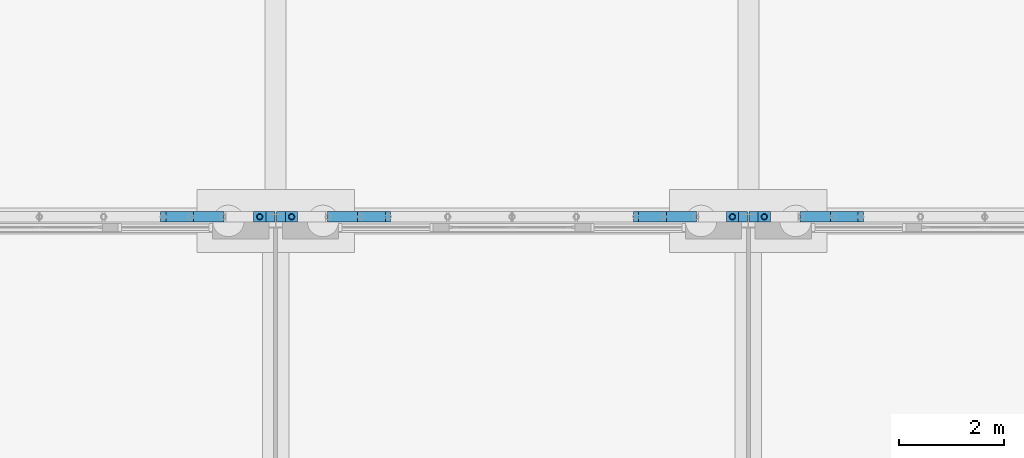
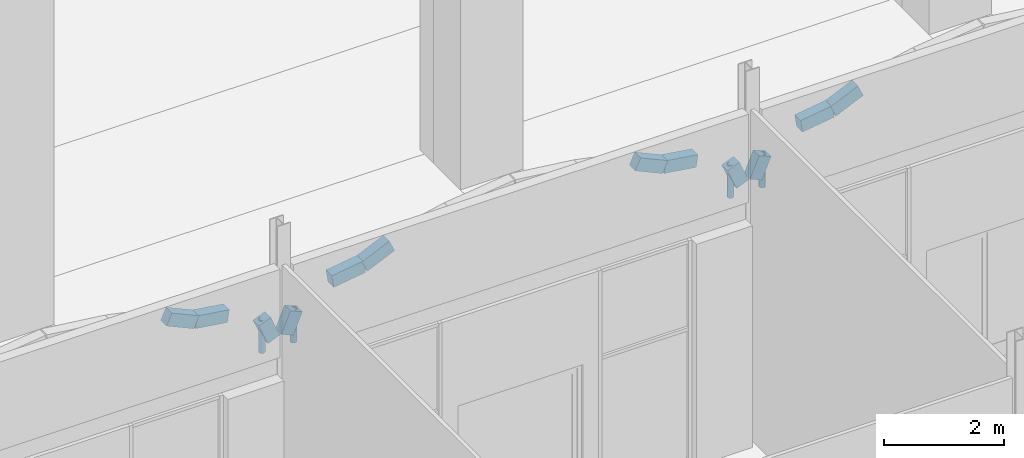
# One storey, part 67 of 250: 12 beams, 4 members.
"""IFC4 building model written with IfcOpenShell, lengths in metres."""

from ifc_helpers import new_model, si_unit, direction, frame, origin, origin_2d, place, context, subcontext, project, spatial, rectangle, hollow_circle, extrude, material, material_profile, profile_set, type_object, element, save


model = new_model("IFC4")

# Units and contexts
model_context = context("Model", 3, precision=1e-05, world=origin(), true_north=direction((0.0, 1.0)))
body_context = subcontext(model_context, "Body", "Model", "MODEL_VIEW")
ifc_project = project(units=[si_unit("LENGTHUNIT", "METRE"), si_unit("AREAUNIT", "SQUARE_METRE"), si_unit("VOLUMEUNIT", "CUBIC_METRE"), si_unit("PLANEANGLEUNIT", "RADIAN"), si_unit("MASSUNIT", "GRAM", prefix="KILO")], contexts=[model_context])

# Site, building, storey
site_placement = place(None, origin())
site = spatial("IfcSite", under=ifc_project, at=site_placement, CompositionType="ELEMENT")
building_placement = place(site_placement, origin())
building = spatial("IfcBuilding", under=site, at=building_placement, Name="Baradari Gate Terminus", CompositionType="ELEMENT")
storey_placement = place(building_placement, origin())
storey = spatial("IfcBuildingStorey", under=building, at=storey_placement, Name="L00", CompositionType="ELEMENT", Elevation=0.0)

# Members
ifc_material_1 = material(Name="Steel S355", Category="steel")
ifc_material_profile_1 = material_profile(ifc_material_1, hollow_circle(Radius=0.05712890625, WallThickness=0.00634765625, at=origin_2d()), Name="CHS 114.3x6.3")
ifc_profile_set_1 = profile_set([ifc_material_profile_1], Name="Steel S355")
member_type = type_object("IfcMemberType", Name="Arcade arch post SP-2 114x6.3", PredefinedType="POST", material=ifc_profile_set_1)
for number, where, z_axis, x_axis, name in (
    (1, (89.697021484375, 108.07861328125, 4.89990234375), (0.0, 0.0, 1.0), (1.0, 0.0, 0.0), "Arcade arch post 9.12"),
    (2, (90.302978515625, 108.07861328125, 4.89990234375), (0.0, 0.0, 1.0), (1.0, 0.0, 0.0), "Arcade arch post 10.2"),
    (3, (98.697021484375, 108.07861328125, 4.89990234375), (0.0, 0.0, 1.0), (1.0, 0.0, 0.0), "Arcade arch post 10.12"),
    (4, (99.302978515625, 108.07861328125, 4.89990234375), (0.0, 0.0, 1.0), (1.0, 0.0, 0.0), "Arcade arch post 11.2"),
):
    element("IfcMember", number, at=place(storey_placement, frame(where, z_axis=z_axis, x_axis=x_axis)), inside=storey, type_object=member_type, Name=name, PredefinedType="POST", context=body_context, shape_type="SweptSolid", body=[
        extrude(hollow_circle(Radius=0.05712890625, WallThickness=0.00634765625, at=origin_2d()), origin(), (0.0, 0.0, 1.0), 0.66796875),
    ])

# Beams
ifc_material_2 = material(Name="Concrete C40/50 precast", Category="concrete")
ifc_material_profile_2 = material_profile(ifc_material_2, rectangle(XDim=0.199951171875, YDim=0.25, at=origin_2d()), Name="AB-1 200X250")
ifc_profile_set_2 = profile_set([ifc_material_profile_2], Name="Concrete C40/50 precast")
beam_type = type_object("IfcBeamType", Name="Arcade arch segment AB-1 200x250", PredefinedType="BEAM", material=ifc_profile_set_2)
beam_1_placement = place(storey_placement, frame((87.86083984375, 108.07861328125, 6.254150390625), z_axis=(0.910177822616, 0.0, -0.414217734071), x_axis=(0.0, 1.0, 0.0)))
element("IfcBeam", 5, at=beam_1_placement, inside=storey, type_object=beam_type, Name="Arcade arch AB-1 bay 9 segment 9", PredefinedType="BEAM", context=body_context, shape_type="SweptSolid", body=[
    extrude(rectangle(XDim=0.199951171875, YDim=0.25, at=origin_2d()), origin(), (0.0, 0.0, 1.0), 0.576416015625),
])
beam_2_placement = place(storey_placement, frame((88.385498046875, 108.07861328125, 6.015380859375), z_axis=(0.989454167091, 0.0, -0.144846302083), x_axis=(0.0, 1.0, 0.0)))
element("IfcBeam", 6, at=beam_2_placement, inside=storey, type_object=beam_type, Name="Arcade arch AB-1 bay 9 segment 10", PredefinedType="BEAM", context=body_context, shape_type="SweptSolid", body=[
    extrude(rectangle(XDim=0.199951171875, YDim=0.25, at=origin_2d()), origin(), (0.0, 0.0, 1.0), 0.61865234375),
])
for number, where, z_axis, x_axis, name in (
    (7, (89.697021484375, 108.07861328125, 5.56787109375), (0.385839488106, 0.0, -0.922565926868), (0.0, 1.0, 0.0), "Arcade arch AB-1 bay 9 segment 12"),
    (8, (90.128173828125, 108.07861328125, 5.14990234375), (0.385839488106, 0.0, 0.922565926868), (0.0, 1.0, 0.0), "Arcade arch AB-1 bay 10 segment 1"),
):
    element("IfcBeam", number, at=place(storey_placement, frame(where, z_axis=z_axis, x_axis=x_axis)), inside=storey, type_object=beam_type, Name=name, PredefinedType="BEAM", context=body_context, shape_type="SweptSolid", body=[
        extrude(rectangle(XDim=0.199951171875, YDim=0.25, at=origin_2d()), origin(), (0.0, 0.0, 1.0), 0.453125),
    ])
beam_3_placement = place(storey_placement, frame((91.00244140625, 108.07861328125, 5.92578125), z_axis=(0.989454167091, 0.0, 0.144846302083), x_axis=(0.0, 1.0, 0.0)))
element("IfcBeam", 9, at=beam_3_placement, inside=storey, type_object=beam_type, Name="Arcade arch AB-1 bay 10 segment 3", PredefinedType="BEAM", context=body_context, shape_type="SweptSolid", body=[
    extrude(rectangle(XDim=0.199951171875, YDim=0.25, at=origin_2d()), origin(), (0.0, 0.0, 1.0), 0.61865234375),
])
for number, where, z_axis, x_axis, name in (
    (10, (91.614501953125, 108.07861328125, 6.015380859375), (0.910177822616, 0.0, 0.414217734071), (0.0, 1.0, 0.0), "Arcade arch AB-1 bay 10 segment 4"),
    (11, (96.86083984375, 108.07861328125, 6.254150390625), (0.910177822616, 0.0, -0.414217734071), (0.0, 1.0, 0.0), "Arcade arch AB-1 bay 10 segment 9"),
):
    element("IfcBeam", number, at=place(storey_placement, frame(where, z_axis=z_axis, x_axis=x_axis)), inside=storey, type_object=beam_type, Name=name, PredefinedType="BEAM", context=body_context, shape_type="SweptSolid", body=[
        extrude(rectangle(XDim=0.199951171875, YDim=0.25, at=origin_2d()), origin(), (0.0, 0.0, 1.0), 0.576416015625),
    ])
beam_4_placement = place(storey_placement, frame((97.385498046875, 108.07861328125, 6.015380859375), z_axis=(0.989454167091, 0.0, -0.144846302083), x_axis=(0.0, 1.0, 0.0)))
element("IfcBeam", 12, at=beam_4_placement, inside=storey, type_object=beam_type, Name="Arcade arch AB-1 bay 10 segment 10", PredefinedType="BEAM", context=body_context, shape_type="SweptSolid", body=[
    extrude(rectangle(XDim=0.199951171875, YDim=0.25, at=origin_2d()), origin(), (0.0, 0.0, 1.0), 0.61865234375),
])
for number, where, z_axis, x_axis, name in (
    (13, (98.697021484375, 108.07861328125, 5.56787109375), (0.385839488106, 0.0, -0.922565926868), (0.0, 1.0, 0.0), "Arcade arch AB-1 bay 10 segment 12"),
    (14, (99.128173828125, 108.07861328125, 5.14990234375), (0.385839488106, 0.0, 0.922565926868), (0.0, 1.0, 0.0), "Arcade arch AB-1 bay 11 segment 1"),
):
    element("IfcBeam", number, at=place(storey_placement, frame(where, z_axis=z_axis, x_axis=x_axis)), inside=storey, type_object=beam_type, Name=name, PredefinedType="BEAM", context=body_context, shape_type="SweptSolid", body=[
        extrude(rectangle(XDim=0.199951171875, YDim=0.25, at=origin_2d()), origin(), (0.0, 0.0, 1.0), 0.453125),
    ])
beam_5_placement = place(storey_placement, frame((100.00244140625, 108.07861328125, 5.92578125), z_axis=(0.989454167091, 0.0, 0.144846302083), x_axis=(0.0, 1.0, 0.0)))
element("IfcBeam", 15, at=beam_5_placement, inside=storey, type_object=beam_type, Name="Arcade arch AB-1 bay 11 segment 3", PredefinedType="BEAM", context=body_context, shape_type="SweptSolid", body=[
    extrude(rectangle(XDim=0.199951171875, YDim=0.25, at=origin_2d()), origin(), (0.0, 0.0, 1.0), 0.61865234375),
])
beam_6_placement = place(storey_placement, frame((100.614501953125, 108.07861328125, 6.015380859375), z_axis=(0.910177822616, 0.0, 0.414217734071), x_axis=(0.0, 1.0, 0.0)))
element("IfcBeam", 16, at=beam_6_placement, inside=storey, type_object=beam_type, Name="Arcade arch AB-1 bay 11 segment 4", PredefinedType="BEAM", context=body_context, shape_type="SweptSolid", body=[
    extrude(rectangle(XDim=0.199951171875, YDim=0.25, at=origin_2d()), origin(), (0.0, 0.0, 1.0), 0.576416015625),
])

save(model, "model.ifc")
